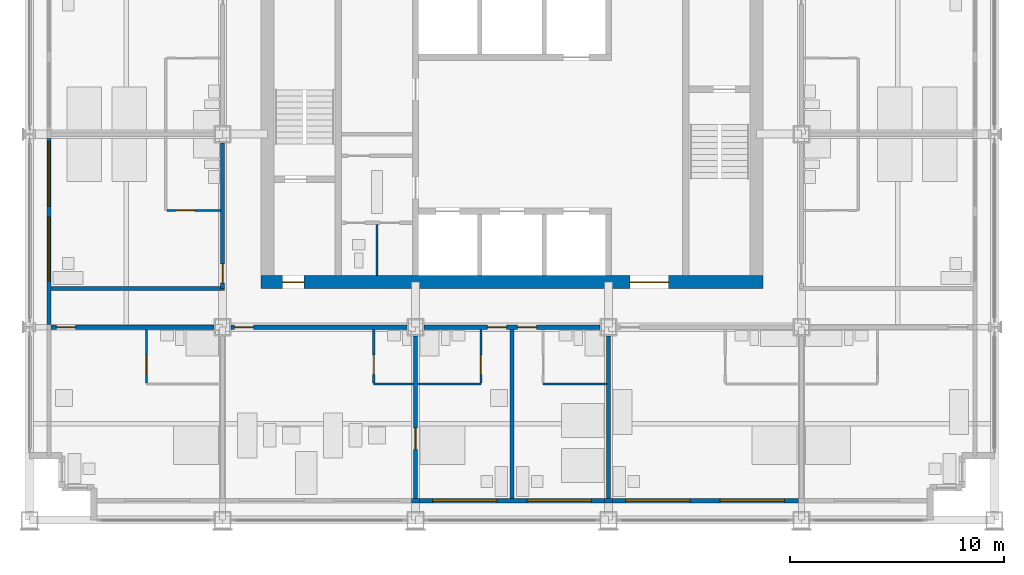
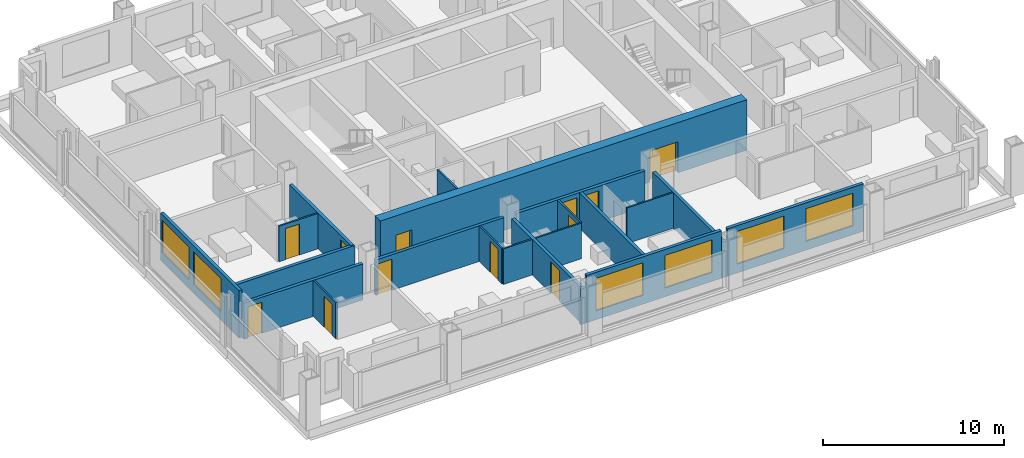
# One storey, part 9 of 16: 22 walls, 12 doors, 6 windows, 18 openings.
"""IFC4 building model written with IfcOpenShell, lengths in metres."""

from ifc_helpers import new_model, si_unit, direction, frame, frame_2d, origin, place, context, subcontext, project, spatial, rectangle, extrude, material, layer, layer_set, type_object, element, fill, save


model = new_model("IFC4")

# Units and contexts
model_context = context("Model", 3, precision=1e-05, world=origin(), true_north=direction((0.0, 1.0)))
body_context = subcontext(model_context, "Body", "Model", "MODEL_VIEW")
ifc_project = project(units=[si_unit("LENGTHUNIT", "METRE"), si_unit("AREAUNIT", "SQUARE_METRE"), si_unit("VOLUMEUNIT", "CUBIC_METRE"), si_unit("PLANEANGLEUNIT", "RADIAN"), si_unit("MASSUNIT", "GRAM", prefix="KILO")], contexts=[model_context])

# Site, building, storey
site_placement = place(None, origin())
site = spatial("IfcSite", under=ifc_project, at=site_placement, CompositionType="ELEMENT")
building_placement = place(site_placement, origin())
building = spatial("IfcBuilding", under=site, at=building_placement, Name="Loomwork Tower", CompositionType="ELEMENT")
storey_placement = place(building_placement, frame((0.0, 0.0, 135.0)))
storey = spatial("IfcBuildingStorey", under=building, at=storey_placement, Name="L36", CompositionType="ELEMENT", Elevation=135.0)

# Wall, openings, doors
ifc_material_1 = material(Name="Concrete 14000 psi (97 MPa)", Category="concrete")
ifc_layer_1 = layer(ifc_material_1, 0.60009765625)
ifc_layer_set_1 = layer_set([ifc_layer_1], Name="Core shear wall 600")
wall_type_1 = type_object("IfcWallType", Name="Core shear wall 600", PredefinedType="SHEAR", material=ifc_layer_set_1)
wall_1_placement = place(storey_placement, frame((10.800048828125, 11.10009765625, 0.0), z_axis=(0.0, 0.0, 1.0), x_axis=(1.0, 0.0, 0.0)))
wall_1 = element("IfcWall", 1, at=wall_1_placement, inside=storey, type_object=wall_type_1, Name="Core wall south L36", PredefinedType="SHEAR", context=body_context, shape_type="SweptSolid", body=[
    extrude(rectangle(XDim=23.39990234375, YDim=0.60009765625, at=frame_2d((11.699951171875, 0.0))), origin(), (0.0, 0.0, 1.0), 3.39990234375),
])
opening_1_placement = place(wall_1_placement, frame((1.0, 0.0, 0.0)))
opening_1 = element("IfcOpeningElement", 2, at=opening_1_placement, cuts=wall_1, Name="Opening D4", PredefinedType="OPENING", context=body_context, shape_type="SweptSolid", body=[
    extrude(rectangle(XDim=1.0, YDim=2.10009765625, at=frame_2d((0.5, 1.050048828125))), frame((0.0, 0.31005859375, 0.0), z_axis=(0.0, -1.0, 0.0), x_axis=(1.0, 0.0, 0.0)), (0.0, 0.0, 1.0), 0.6201171875),
])
opening_2_placement = place(wall_1_placement, frame((17.199951171875, 0.0, 0.0)))
opening_2 = element("IfcOpeningElement", 3, at=opening_2_placement, cuts=wall_1, Name="Opening D6", PredefinedType="OPENING", context=body_context, shape_type="SweptSolid", body=[
    extrude(rectangle(XDim=1.800048828125, YDim=2.10009765625, at=frame_2d((0.89990234375, 1.050048828125))), frame((0.0, 0.31005859375, 0.0), z_axis=(0.0, -1.0, 0.0), x_axis=(1.0, 0.0, 0.0)), (0.0, 0.0, 1.0), 0.6201171875),
])
ifc_material_2 = material(Name="Hollow metal door and frame")
door_type_1 = type_object("IfcDoorType", Name="Lobby passage double door 1800", OperationType="DOUBLE_DOOR_SINGLE_SWING", PredefinedType="DOOR", material=ifc_material_2)
door_1_placement = place(opening_2_placement, origin())
door_1 = element("IfcDoor", 4, at=door_1_placement, inside=storey, type_object=door_type_1, Name="Lobby passage door south", OperationType="DOUBLE_DOOR_SINGLE_SWING", OverallHeight=2.10009765625, OverallWidth=1.800048828125, PredefinedType="DOOR", context=body_context, shape_type="SweptSolid", body=[
    extrude(rectangle(XDim=1.800048828125, YDim=2.10009765625, at=frame_2d((0.89990234375, 1.050048828125))), frame((0.0, 0.02490234375, 0.0), z_axis=(0.0, -1.0, 0.0), x_axis=(1.0, 0.0, 0.0)), (0.0, 0.0, 1.0), 0.050048828125),
])
fill(opening_2, door_1)
ifc_material_3 = material(Name="Hollow metal door and frame")
door_type_2 = type_object("IfcDoorType", Name="Stair door 1000", OperationType="SINGLE_SWING_RIGHT", PredefinedType="DOOR", material=ifc_material_3)
door_2_placement = place(opening_1_placement, origin())
door_2 = element("IfcDoor", 5, at=door_2_placement, inside=storey, type_object=door_type_2, Name="Stair A vestibule door", OperationType="SINGLE_SWING_LEFT", OverallHeight=2.10009765625, OverallWidth=1.0, PredefinedType="DOOR", context=body_context, shape_type="SweptSolid", body=[
    extrude(rectangle(XDim=1.0, YDim=2.10009765625, at=frame_2d((0.5, 1.050048828125))), frame((0.0, 0.02490234375, 0.0), z_axis=(0.0, -1.0, 0.0), x_axis=(1.0, 0.0, 0.0)), (0.0, 0.0, 1.0), 0.050048828125),
])
fill(opening_1, door_2)

# Wall, opening, door
ifc_material_4 = material(Name="Gypsum board on steel studs, one-hour", Category="steel")
ifc_layer_2 = layer(ifc_material_4, 0.199951171875)
ifc_layer_set_2 = layer_set([ifc_layer_2], Name="Corridor wall 200")
wall_type_2 = type_object("IfcWallType", Name="Corridor wall 200", PredefinedType="PARTITIONING", material=ifc_layer_set_2)
wall_2_placement = place(storey_placement, frame((1.0, 9.0, 0.0), z_axis=(0.0, 0.0, 1.0), x_axis=(1.0, 0.0, 0.0)))
wall_2 = element("IfcWall", 6, at=wall_2_placement, inside=storey, type_object=wall_type_2, Name="South corridor wall 1", PredefinedType="PARTITIONING", context=body_context, shape_type="SweptSolid", body=[
    extrude(rectangle(XDim=7.60009765625, YDim=0.199951171875, at=frame_2d((3.800048828125, 0.0))), origin(), (0.0, 0.0, 1.0), 2.43798828125),
])
opening_3_placement = place(wall_2_placement, frame((0.25, 0.0, 0.0)))
opening_3 = element("IfcOpeningElement", 7, at=opening_3_placement, cuts=wall_2, Name="Opening D1", PredefinedType="OPENING", context=body_context, shape_type="SweptSolid", body=[
    extrude(rectangle(XDim=0.89990234375, YDim=2.10009765625, at=frame_2d((0.449951171875, 1.050048828125))), frame((0.0, 0.10986328125, 0.0), z_axis=(0.0, -1.0, 0.0), x_axis=(1.0, 0.0, 0.0)), (0.0, 0.0, 1.0), 0.219970703125),
])
ifc_material_5 = material(Name="Hollow metal door and frame")
door_type_3 = type_object("IfcDoorType", Name="Guest room entry door 900", OperationType="SINGLE_SWING_LEFT", PredefinedType="DOOR", material=ifc_material_5)
door_3_placement = place(opening_3_placement, frame((0.89990234375, 0.0, 0.0), z_axis=(0.0, 0.0, 1.0), x_axis=(-1.0, 0.0, 0.0)))
door_3 = element("IfcDoor", 8, at=door_3_placement, inside=storey, type_object=door_type_3, Name="Guest room entry door L36 1", OperationType="SINGLE_SWING_RIGHT", OverallHeight=2.10009765625, OverallWidth=0.89990234375, PredefinedType="DOOR", context=body_context, shape_type="SweptSolid", body=[
    extrude(rectangle(XDim=0.89990234375, YDim=2.10009765625, at=frame_2d((0.449951171875, 1.050048828125))), frame((0.0, 0.02490234375, 0.0), z_axis=(0.0, -1.0, 0.0), x_axis=(1.0, 0.0, 0.0)), (0.0, 0.0, 1.0), 0.050048828125),
])
fill(opening_3, door_3)

wall_3_placement = place(storey_placement, frame((9.39990234375, 9.0, 0.0), z_axis=(0.0, 0.0, 1.0), x_axis=(1.0, 0.0, 0.0)))
wall_3 = element("IfcWall", 9, at=wall_3_placement, inside=storey, type_object=wall_type_2, Name="South corridor wall 2", PredefinedType="PARTITIONING", context=body_context, shape_type="SweptSolid", body=[
    extrude(rectangle(XDim=8.2001953125, YDim=0.199951171875, at=frame_2d((4.10009765625, 0.0))), origin(), (0.0, 0.0, 1.0), 2.405029296875),
])
opening_4_placement = place(wall_3_placement, frame((0.14990234375, 0.0, 0.0)))
opening_4 = element("IfcOpeningElement", 10, at=opening_4_placement, cuts=wall_3, Name="Opening D1", PredefinedType="OPENING", context=body_context, shape_type="SweptSolid", body=[
    extrude(rectangle(XDim=0.89990234375, YDim=2.10009765625, at=frame_2d((0.449951171875, 1.050048828125))), frame((0.0, 0.10986328125, 0.0), z_axis=(0.0, -1.0, 0.0), x_axis=(1.0, 0.0, 0.0)), (0.0, 0.0, 1.0), 0.219970703125),
])
door_4_placement = place(opening_4_placement, frame((0.89990234375, 0.0, 0.0), z_axis=(0.0, 0.0, 1.0), x_axis=(-1.0, 0.0, 0.0)))
door_4 = element("IfcDoor", 11, at=door_4_placement, inside=storey, type_object=door_type_3, Name="Guest room entry door L36 2", OperationType="SINGLE_SWING_RIGHT", OverallHeight=2.10009765625, OverallWidth=0.89990234375, PredefinedType="DOOR", context=body_context, shape_type="SweptSolid", body=[
    extrude(rectangle(XDim=0.89990234375, YDim=2.10009765625, at=frame_2d((0.449951171875, 1.050048828125))), frame((0.0, 0.02490234375, 0.0), z_axis=(0.0, -1.0, 0.0), x_axis=(1.0, 0.0, 0.0)), (0.0, 0.0, 1.0), 0.050048828125),
])
fill(opening_4, door_4)

# Wall, openings, doors
wall_4_placement = place(storey_placement, frame((18.39990234375, 9.0, 0.0), z_axis=(0.0, 0.0, 1.0), x_axis=(1.0, 0.0, 0.0)))
wall_4 = element("IfcWall", 12, at=wall_4_placement, inside=storey, type_object=wall_type_2, Name="South corridor wall 3", PredefinedType="PARTITIONING", context=body_context, shape_type="SweptSolid", body=[
    extrude(rectangle(XDim=8.2001953125, YDim=0.199951171875, at=frame_2d((4.10009765625, 0.0))), origin(), (0.0, 0.0, 1.0), 2.405029296875),
])
opening_5_placement = place(wall_4_placement, frame((2.949951171875, 0.0, 0.0)))
opening_5 = element("IfcOpeningElement", 13, at=opening_5_placement, cuts=wall_4, Name="Opening D1", PredefinedType="OPENING", context=body_context, shape_type="SweptSolid", body=[
    extrude(rectangle(XDim=0.89990234375, YDim=2.10009765625, at=frame_2d((0.449951171875, 1.050048828125))), frame((0.0, 0.10986328125, 0.0), z_axis=(0.0, -1.0, 0.0), x_axis=(1.0, 0.0, 0.0)), (0.0, 0.0, 1.0), 0.219970703125),
])
opening_6_placement = place(wall_4_placement, frame((4.35009765625, 0.0, 0.0)))
opening_6 = element("IfcOpeningElement", 14, at=opening_6_placement, cuts=wall_4, Name="Opening D1", PredefinedType="OPENING", context=body_context, shape_type="SweptSolid", body=[
    extrude(rectangle(XDim=0.89990234375, YDim=2.10009765625, at=frame_2d((0.449951171875, 1.050048828125))), frame((0.0, 0.10986328125, 0.0), z_axis=(0.0, -1.0, 0.0), x_axis=(1.0, 0.0, 0.0)), (0.0, 0.0, 1.0), 0.219970703125),
])
door_5_placement = place(opening_5_placement, frame((0.89990234375, 0.0, 0.0), z_axis=(0.0, 0.0, 1.0), x_axis=(-1.0, 0.0, 0.0)))
door_5 = element("IfcDoor", 15, at=door_5_placement, inside=storey, type_object=door_type_3, Name="Guest room entry door L36 3", OperationType="SINGLE_SWING_LEFT", OverallHeight=2.10009765625, OverallWidth=0.89990234375, PredefinedType="DOOR", context=body_context, shape_type="SweptSolid", body=[
    extrude(rectangle(XDim=0.89990234375, YDim=2.10009765625, at=frame_2d((0.449951171875, 1.050048828125))), frame((0.0, 0.02490234375, 0.0), z_axis=(0.0, -1.0, 0.0), x_axis=(1.0, 0.0, 0.0)), (0.0, 0.0, 1.0), 0.050048828125),
])
fill(opening_5, door_5)
door_6_placement = place(opening_6_placement, frame((0.89990234375, 0.0, 0.0), z_axis=(0.0, 0.0, 1.0), x_axis=(-1.0, 0.0, 0.0)))
door_6 = element("IfcDoor", 16, at=door_6_placement, inside=storey, type_object=door_type_3, Name="Guest room entry door L36 4", OperationType="SINGLE_SWING_RIGHT", OverallHeight=2.10009765625, OverallWidth=0.89990234375, PredefinedType="DOOR", context=body_context, shape_type="SweptSolid", body=[
    extrude(rectangle(XDim=0.89990234375, YDim=2.10009765625, at=frame_2d((0.449951171875, 1.050048828125))), frame((0.0, 0.02490234375, 0.0), z_axis=(0.0, -1.0, 0.0), x_axis=(1.0, 0.0, 0.0)), (0.0, 0.0, 1.0), 0.050048828125),
])
fill(opening_6, door_6)

# Wall, opening, door
wall_5_placement = place(storey_placement, frame((9.0, 10.800048828125, 0.0), z_axis=(0.0, 0.0, 1.0), x_axis=(0.0, 1.0, 0.0)))
wall_5 = element("IfcWall", 17, at=wall_5_placement, inside=storey, type_object=wall_type_2, Name="West corridor wall 1", PredefinedType="PARTITIONING", context=body_context, shape_type="SweptSolid", body=[
    extrude(rectangle(XDim=6.800048828125, YDim=0.199951171875, at=frame_2d((3.39990234375, 0.0))), origin(), (0.0, 0.0, 1.0), 2.405029296875),
])
opening_7_placement = place(wall_5_placement, frame((0.25, 0.0, 0.0)))
opening_7 = element("IfcOpeningElement", 18, at=opening_7_placement, cuts=wall_5, Name="Opening D1", PredefinedType="OPENING", context=body_context, shape_type="SweptSolid", body=[
    extrude(rectangle(XDim=0.89990234375, YDim=2.10009765625, at=frame_2d((0.449951171875, 1.050048828125))), frame((0.0, 0.10986328125, 0.0), z_axis=(0.0, -1.0, 0.0), x_axis=(1.0, 0.0, 0.0)), (0.0, 0.0, 1.0), 0.219970703125),
])
door_7_placement = place(opening_7_placement, origin())
door_7 = element("IfcDoor", 19, at=door_7_placement, inside=storey, type_object=door_type_3, Name="Guest room entry door L36 14", OperationType="SINGLE_SWING_LEFT", OverallHeight=2.10009765625, OverallWidth=0.89990234375, PredefinedType="DOOR", context=body_context, shape_type="SweptSolid", body=[
    extrude(rectangle(XDim=0.89990234375, YDim=2.10009765625, at=frame_2d((0.449951171875, 1.050048828125))), frame((0.0, 0.02490234375, 0.0), z_axis=(0.0, -1.0, 0.0), x_axis=(1.0, 0.0, 0.0)), (0.0, 0.0, 1.0), 0.050048828125),
])
fill(opening_7, door_7)

# Wall
wall_6_placement = place(storey_placement, frame((1.0, 10.800048828125, 0.0), z_axis=(0.0, 0.0, 1.0), x_axis=(1.0, 0.0, 0.0)))
element("IfcWall", 20, at=wall_6_placement, inside=storey, type_object=wall_type_2, Name="West band end wall S", PredefinedType="PARTITIONING", context=body_context, shape_type="SweptSolid", body=[
    extrude(rectangle(XDim=8.10009765625, YDim=0.199951171875, at=frame_2d((4.050048828125, 0.0))), origin(), (0.0, 0.0, 1.0), 2.404052734375),
])

# Wall, opening, door
ifc_material_6 = material(Name="Cement board on steel studs", Category="steel")
ifc_layer_3 = layer(ifc_material_6, 0.10009765625)
ifc_layer_set_3 = layer_set([ifc_layer_3], Name="En-suite partition 100")
wall_type_3 = type_object("IfcWallType", Name="En-suite partition 100", PredefinedType="PARTITIONING", material=ifc_layer_set_3)
wall_7_placement = place(storey_placement, frame((5.449951171875, 8.89990234375, 0.0), z_axis=(0.0, 0.0, 1.0), x_axis=(0.0, -1.0, 0.0)))
wall_7 = element("IfcWall", 21, at=wall_7_placement, inside=storey, type_object=wall_type_3, Name="En-suite side wall L36 room 1", PredefinedType="PARTITIONING", context=body_context, shape_type="SweptSolid", body=[
    extrude(rectangle(XDim=2.5, YDim=0.10009765625, at=frame_2d((1.25, 0.0))), origin(), (0.0, 0.0, 1.0), 2.43798828125),
])
opening_8_placement = place(wall_7_placement, frame((1.199951171875, 0.0, 0.0)))
opening_8 = element("IfcOpeningElement", 22, at=opening_8_placement, cuts=wall_7, Name="Opening D3", PredefinedType="OPENING", context=body_context, shape_type="SweptSolid", body=[
    extrude(rectangle(XDim=0.89990234375, YDim=2.10009765625, at=frame_2d((0.449951171875, 1.050048828125))), frame((0.0, 0.06005859375, 0.0), z_axis=(0.0, -1.0, 0.0), x_axis=(1.0, 0.0, 0.0)), (0.0, 0.0, 1.0), 0.1201171875),
])
ifc_material_7 = material(Name="Hollow metal door and frame")
door_type_4 = type_object("IfcDoorType", Name="Accessible en-suite door 900", OperationType="SLIDING_TO_LEFT", PredefinedType="DOOR", material=ifc_material_7)
door_8_placement = place(opening_8_placement, origin())
door_8 = element("IfcDoor", 23, at=door_8_placement, inside=storey, type_object=door_type_4, Name="Accessible en-suite door room 1", OperationType="SLIDING_TO_LEFT", OverallHeight=2.10009765625, OverallWidth=0.89990234375, PredefinedType="DOOR", context=body_context, shape_type="SweptSolid", body=[
    extrude(rectangle(XDim=0.89990234375, YDim=2.10009765625, at=frame_2d((0.449951171875, 1.050048828125))), frame((0.0, 0.02490234375, 0.0), z_axis=(0.0, -1.0, 0.0), x_axis=(1.0, 0.0, 0.0)), (0.0, 0.0, 1.0), 0.050048828125),
])
fill(opening_8, door_8)

# Wall
wall_8_placement = place(storey_placement, frame((16.050048828125, 6.35009765625, 0.0), z_axis=(0.0, 0.0, 1.0), x_axis=(1.0, 0.0, 0.0)))
element("IfcWall", 24, at=wall_8_placement, inside=storey, type_object=wall_type_3, Name="En-suite wall L36 room 2", PredefinedType="PARTITIONING", context=body_context, shape_type="SweptSolid", body=[
    extrude(rectangle(XDim=1.849853515625, YDim=0.10009765625, at=frame_2d((0.9248046875, 0.0))), origin(), (0.0, 0.0, 1.0), 2.404052734375),
])

# Wall, opening, door
wall_9_placement = place(storey_placement, frame((16.050048828125, 8.89990234375, 0.0), z_axis=(0.0, 0.0, 1.0), x_axis=(0.0, -1.0, 0.0)))
wall_9 = element("IfcWall", 25, at=wall_9_placement, inside=storey, type_object=wall_type_3, Name="En-suite side wall L36 room 2", PredefinedType="PARTITIONING", context=body_context, shape_type="SweptSolid", body=[
    extrude(rectangle(XDim=2.5, YDim=0.10009765625, at=frame_2d((1.25, 0.0))), origin(), (0.0, 0.0, 1.0), 2.404052734375),
])
opening_9_placement = place(wall_9_placement, frame((1.199951171875, 0.0, 0.0)))
opening_9 = element("IfcOpeningElement", 26, at=opening_9_placement, cuts=wall_9, Name="Opening D2", PredefinedType="OPENING", context=body_context, shape_type="SweptSolid", body=[
    extrude(rectangle(XDim=0.89990234375, YDim=2.10009765625, at=frame_2d((0.449951171875, 1.050048828125))), frame((0.0, 0.06005859375, 0.0), z_axis=(0.0, -1.0, 0.0), x_axis=(1.0, 0.0, 0.0)), (0.0, 0.0, 1.0), 0.1201171875),
])
ifc_material_8 = material(Name="Hollow metal door and frame")
door_type_5 = type_object("IfcDoorType", Name="En-suite door 900", OperationType="SINGLE_SWING_LEFT", PredefinedType="DOOR", material=ifc_material_8)
door_9_placement = place(opening_9_placement, origin())
door_9 = element("IfcDoor", 27, at=door_9_placement, inside=storey, type_object=door_type_5, Name="Suite powder room door room 2", OperationType="SINGLE_SWING_RIGHT", OverallHeight=2.10009765625, OverallWidth=0.89990234375, PredefinedType="DOOR", context=body_context, shape_type="SweptSolid", body=[
    extrude(rectangle(XDim=0.89990234375, YDim=2.10009765625, at=frame_2d((0.449951171875, 1.050048828125))), frame((0.0, 0.02490234375, 0.0), z_axis=(0.0, -1.0, 0.0), x_axis=(1.0, 0.0, 0.0)), (0.0, 0.0, 1.0), 0.050048828125),
])
fill(opening_9, door_9)

# Wall
wall_10_placement = place(storey_placement, frame((18.10009765625, 6.35009765625, 0.0), z_axis=(0.0, 0.0, 1.0), x_axis=(1.0, 0.0, 0.0)))
element("IfcWall", 28, at=wall_10_placement, inside=storey, type_object=wall_type_3, Name="En-suite wall L36 room 3", PredefinedType="PARTITIONING", context=body_context, shape_type="SweptSolid", body=[
    extrude(rectangle(XDim=2.949951171875, YDim=0.10009765625, at=frame_2d((1.47509765625, 0.0))), origin(), (0.0, 0.0, 1.0), 2.404052734375),
])

# Wall, opening, door
wall_11_placement = place(storey_placement, frame((21.050048828125, 8.89990234375, 0.0), z_axis=(0.0, 0.0, 1.0), x_axis=(0.0, -1.0, 0.0)))
wall_11 = element("IfcWall", 29, at=wall_11_placement, inside=storey, type_object=wall_type_3, Name="En-suite side wall L36 room 3", PredefinedType="PARTITIONING", context=body_context, shape_type="SweptSolid", body=[
    extrude(rectangle(XDim=2.5, YDim=0.10009765625, at=frame_2d((1.25, 0.0))), origin(), (0.0, 0.0, 1.0), 2.404052734375),
])
opening_10_placement = place(wall_11_placement, frame((1.199951171875, 0.0, 0.0)))
opening_10 = element("IfcOpeningElement", 30, at=opening_10_placement, cuts=wall_11, Name="Opening D2", PredefinedType="OPENING", context=body_context, shape_type="SweptSolid", body=[
    extrude(rectangle(XDim=0.89990234375, YDim=2.10009765625, at=frame_2d((0.449951171875, 1.050048828125))), frame((0.0, 0.06005859375, 0.0), z_axis=(0.0, -1.0, 0.0), x_axis=(1.0, 0.0, 0.0)), (0.0, 0.0, 1.0), 0.1201171875),
])
door_10_placement = place(opening_10_placement, frame((0.89990234375, 0.0, 0.0), z_axis=(0.0, 0.0, 1.0), x_axis=(-1.0, 0.0, 0.0)))
door_10 = element("IfcDoor", 31, at=door_10_placement, inside=storey, type_object=door_type_5, Name="En-suite door room 3", OperationType="SINGLE_SWING_LEFT", OverallHeight=2.10009765625, OverallWidth=0.89990234375, PredefinedType="DOOR", context=body_context, shape_type="SweptSolid", body=[
    extrude(rectangle(XDim=0.89990234375, YDim=2.10009765625, at=frame_2d((0.449951171875, 1.050048828125))), frame((0.0, 0.02490234375, 0.0), z_axis=(0.0, -1.0, 0.0), x_axis=(1.0, 0.0, 0.0)), (0.0, 0.0, 1.0), 0.050048828125),
])
fill(opening_10, door_10)

# Wall
wall_12_placement = place(storey_placement, frame((23.949951171875, 6.35009765625, 0.0), z_axis=(0.0, 0.0, 1.0), x_axis=(1.0, 0.0, 0.0)))
element("IfcWall", 32, at=wall_12_placement, inside=storey, type_object=wall_type_3, Name="En-suite wall L36 room 4", PredefinedType="PARTITIONING", context=body_context, shape_type="SweptSolid", body=[
    extrude(rectangle(XDim=2.949951171875, YDim=0.10009765625, at=frame_2d((1.47509765625, 0.0))), origin(), (0.0, 0.0, 1.0), 2.404052734375),
])

# Wall, opening, door
wall_13_placement = place(storey_placement, frame((8.89990234375, 14.449951171875, 0.0), z_axis=(0.0, 0.0, 1.0), x_axis=(-1.0, 0.0, 0.0)))
wall_13 = element("IfcWall", 33, at=wall_13_placement, inside=storey, type_object=wall_type_3, Name="En-suite side wall L36 room 14", PredefinedType="PARTITIONING", context=body_context, shape_type="SweptSolid", body=[
    extrude(rectangle(XDim=2.5, YDim=0.10009765625, at=frame_2d((1.25, 0.0))), origin(), (0.0, 0.0, 1.0), 2.404052734375),
])
opening_11_placement = place(wall_13_placement, frame((1.199951171875, 0.0, 0.0)))
opening_11 = element("IfcOpeningElement", 34, at=opening_11_placement, cuts=wall_13, Name="Opening D2", PredefinedType="OPENING", context=body_context, shape_type="SweptSolid", body=[
    extrude(rectangle(XDim=0.89990234375, YDim=2.10009765625, at=frame_2d((0.449951171875, 1.050048828125))), frame((0.0, 0.06005859375, 0.0), z_axis=(0.0, -1.0, 0.0), x_axis=(1.0, 0.0, 0.0)), (0.0, 0.0, 1.0), 0.1201171875),
])
door_11_placement = place(opening_11_placement, frame((0.89990234375, 0.0, 0.0), z_axis=(0.0, 0.0, 1.0), x_axis=(-1.0, 0.0, 0.0)))
door_11 = element("IfcDoor", 35, at=door_11_placement, inside=storey, type_object=door_type_5, Name="En-suite door room 14", OperationType="SINGLE_SWING_LEFT", OverallHeight=2.10009765625, OverallWidth=0.89990234375, PredefinedType="DOOR", context=body_context, shape_type="SweptSolid", body=[
    extrude(rectangle(XDim=0.89990234375, YDim=2.10009765625, at=frame_2d((0.449951171875, 1.050048828125))), frame((0.0, 0.02490234375, 0.0), z_axis=(0.0, -1.0, 0.0), x_axis=(1.0, 0.0, 0.0)), (0.0, 0.0, 1.0), 0.050048828125),
])
fill(opening_11, door_11)

# Wall
wall_14_placement = place(storey_placement, frame((16.199951171875, 11.39990234375, 0.0), z_axis=(0.0, 0.0, 1.0), x_axis=(0.0, 1.0, 0.0)))
element("IfcWall", 36, at=wall_14_placement, inside=storey, type_object=wall_type_3, Name="Back-of-house partition L36 2", PredefinedType="PARTITIONING", context=body_context, shape_type="SweptSolid", body=[
    extrude(rectangle(XDim=2.400146484375, YDim=0.10009765625, at=frame_2d((1.2001953125, 0.0))), origin(), (0.0, 0.0, 1.0), 3.199951171875),
])

# Wall, opening, door
ifc_material_9 = material(Name="Gypsum board on steel studs, acoustic", Category="steel")
ifc_layer_4 = layer(ifc_material_9, 0.199951171875)
ifc_layer_set_4 = layer_set([ifc_layer_4], Name="Guest room party wall 200")
wall_type_4 = type_object("IfcWallType", Name="Guest room party wall 200", PredefinedType="PARTITIONING", material=ifc_layer_set_4)
wall_15_placement = place(storey_placement, frame((18.0, 8.60009765625, 0.0), z_axis=(0.0, 0.0, 1.0), x_axis=(0.0, -1.0, 0.0)))
wall_15 = element("IfcWall", 37, at=wall_15_placement, inside=storey, type_object=wall_type_4, Name="Guest room party wall S 18", PredefinedType="PARTITIONING", context=body_context, shape_type="SweptSolid", body=[
    extrude(rectangle(XDim=7.60009765625, YDim=0.199951171875, at=frame_2d((3.800048828125, 0.0))), origin(), (0.0, 0.0, 1.0), 2.405029296875),
])
opening_12_placement = place(wall_15_placement, frame((4.300048828125, 0.0, 0.0)))
opening_12 = element("IfcOpeningElement", 38, at=opening_12_placement, cuts=wall_15, Name="Opening D7", PredefinedType="OPENING", context=body_context, shape_type="SweptSolid", body=[
    extrude(rectangle(XDim=1.0, YDim=2.10009765625, at=frame_2d((0.5, 1.050048828125))), frame((0.0, 0.10986328125, 0.0), z_axis=(0.0, -1.0, 0.0), x_axis=(1.0, 0.0, 0.0)), (0.0, 0.0, 1.0), 0.219970703125),
])
ifc_material_10 = material(Name="Hollow metal door and frame")
door_type_6 = type_object("IfcDoorType", Name="Room door 1000", OperationType="SINGLE_SWING_LEFT", PredefinedType="DOOR", material=ifc_material_10)
door_12_placement = place(opening_12_placement, origin())
door_12 = element("IfcDoor", 39, at=door_12_placement, inside=storey, type_object=door_type_6, Name="Suite connecting door L36 S 18", OperationType="SINGLE_SWING_LEFT", OverallHeight=2.10009765625, OverallWidth=1.0, PredefinedType="DOOR", context=body_context, shape_type="SweptSolid", body=[
    extrude(rectangle(XDim=1.0, YDim=2.10009765625, at=frame_2d((0.5, 1.050048828125))), frame((0.0, 0.02490234375, 0.0), z_axis=(0.0, -1.0, 0.0), x_axis=(1.0, 0.0, 0.0)), (0.0, 0.0, 1.0), 0.050048828125),
])
fill(opening_12, door_12)

# Walls
wall_16_placement = place(storey_placement, frame((22.5, 8.89990234375, 0.0), z_axis=(0.0, 0.0, 1.0), x_axis=(0.0, -1.0, 0.0)))
element("IfcWall", 40, at=wall_16_placement, inside=storey, type_object=wall_type_4, Name="Guest room party wall S 22.5", PredefinedType="PARTITIONING", context=body_context, shape_type="SweptSolid", body=[
    extrude(rectangle(XDim=7.89990234375, YDim=0.199951171875, at=frame_2d((3.949951171875, 0.0))), origin(), (0.0, 0.0, 1.0), 2.404052734375),
])
wall_17_placement = place(storey_placement, frame((27.0, 8.60009765625, 0.0), z_axis=(0.0, 0.0, 1.0), x_axis=(0.0, -1.0, 0.0)))
element("IfcWall", 41, at=wall_17_placement, inside=storey, type_object=wall_type_4, Name="Guest room party wall S 27", PredefinedType="PARTITIONING", context=body_context, shape_type="SweptSolid", body=[
    extrude(rectangle(XDim=7.60009765625, YDim=0.199951171875, at=frame_2d((3.800048828125, 0.0))), origin(), (0.0, 0.0, 1.0), 2.405029296875),
])
ifc_material_11 = material(Name="Insulated steel stud wall with gypsum lining", Category="steel")
ifc_layer_5 = layer(ifc_material_11, 0.199951171875)
ifc_layer_set_5 = layer_set([ifc_layer_5], Name="Inner skin wall 200")
wall_type_5 = type_object("IfcWallType", Name="Inner skin wall 200", PredefinedType="SOLIDWALL", material=ifc_layer_set_5)
wall_18_placement = place(storey_placement, frame((17.80615234375, 0.89990234375, 0.0), z_axis=(0.0, 0.0, 1.0), x_axis=(1.0, 0.0, 0.0)))
element("IfcWall", 42, at=wall_18_placement, inside=storey, type_object=wall_type_5, Name="Inner skin wall S bay 4", PredefinedType="SOLIDWALL", context=body_context, shape_type="SweptSolid", body=[
    extrude(rectangle(XDim=0.3876953125, YDim=0.199951171875, at=frame_2d((0.19384765625, 0.0))), origin(), (0.0, 0.0, 1.0), 2.404052734375),
])

# Wall, openings, windows
wall_19_placement = place(storey_placement, frame((18.19384765625, 0.89990234375, 0.0), z_axis=(0.0, 0.0, 1.0), x_axis=(1.0, 0.0, 0.0)))
wall_19 = element("IfcWall", 43, at=wall_19_placement, inside=storey, type_object=wall_type_5, Name="Inner skin wall S bay 5", PredefinedType="SOLIDWALL", context=body_context, shape_type="SweptSolid", body=[
    extrude(rectangle(XDim=8.6123046875, YDim=0.199951171875, at=frame_2d((4.30615234375, 0.0))), origin(), (0.0, 0.0, 1.0), 3.199951171875),
])
opening_13_placement = place(wall_19_placement, frame((0.606201171875, 0.0, 0.60009765625)))
opening_13 = element("IfcOpeningElement", 44, at=opening_13_placement, cuts=wall_19, Name="Opening CH1", PredefinedType="OPENING", context=body_context, shape_type="SweptSolid", body=[
    extrude(rectangle(XDim=3.0, YDim=2.199951171875, at=frame_2d((1.5, 1.10009765625))), frame((0.0, 0.10986328125, 0.0), z_axis=(0.0, -1.0, 0.0), x_axis=(1.0, 0.0, 0.0)), (0.0, 0.0, 1.0), 0.219970703125),
])
opening_14_placement = place(wall_19_placement, frame((5.006103515625, 0.0, 0.60009765625)))
opening_14 = element("IfcOpeningElement", 45, at=opening_14_placement, cuts=wall_19, Name="Opening CH1", PredefinedType="OPENING", context=body_context, shape_type="SweptSolid", body=[
    extrude(rectangle(XDim=3.0, YDim=2.199951171875, at=frame_2d((1.5, 1.10009765625))), frame((0.0, 0.10986328125, 0.0), z_axis=(0.0, -1.0, 0.0), x_axis=(1.0, 0.0, 0.0)), (0.0, 0.0, 1.0), 0.219970703125),
])
ifc_material_12 = material(Name="Aluminium frame with clear insulated glass", Category="aluminium")
window_type = type_object("IfcWindowType", Name="Chicago window 3000", PartitioningType="TRIPLE_PANEL_VERTICAL", PredefinedType="WINDOW", material=ifc_material_12)
window_1_placement = place(opening_13_placement, origin())
window_1 = element("IfcWindow", 46, at=window_1_placement, inside=storey, type_object=window_type, Name="Chicago window L36 bay 3", OverallHeight=2.199951171875, OverallWidth=3.0, PartitioningType="TRIPLE_PANEL_VERTICAL", PredefinedType="WINDOW", context=body_context, shape_type="SweptSolid", body=[
    extrude(rectangle(XDim=3.0, YDim=2.199951171875, at=frame_2d((1.5, 1.10009765625))), frame((0.0, 0.030029296875, 0.0), z_axis=(0.0, -1.0, 0.0), x_axis=(1.0, 0.0, 0.0)), (0.0, 0.0, 1.0), 0.06005859375),
])
fill(opening_13, window_1)
window_2_placement = place(opening_14_placement, origin())
window_2 = element("IfcWindow", 47, at=window_2_placement, inside=storey, type_object=window_type, Name="Chicago window L36 bay 3", OverallHeight=2.199951171875, OverallWidth=3.0, PartitioningType="TRIPLE_PANEL_VERTICAL", PredefinedType="WINDOW", context=body_context, shape_type="SweptSolid", body=[
    extrude(rectangle(XDim=3.0, YDim=2.199951171875, at=frame_2d((1.5, 1.10009765625))), frame((0.0, 0.030029296875, 0.0), z_axis=(0.0, -1.0, 0.0), x_axis=(1.0, 0.0, 0.0)), (0.0, 0.0, 1.0), 0.06005859375),
])
fill(opening_14, window_2)

# Wall
wall_20_placement = place(storey_placement, frame((26.80615234375, 0.89990234375, 0.0), z_axis=(0.0, 0.0, 1.0), x_axis=(1.0, 0.0, 0.0)))
element("IfcWall", 48, at=wall_20_placement, inside=storey, type_object=wall_type_5, Name="Inner skin wall S bay 6", PredefinedType="SOLIDWALL", context=body_context, shape_type="SweptSolid", body=[
    extrude(rectangle(XDim=0.3876953125, YDim=0.199951171875, at=frame_2d((0.19384765625, 0.0))), origin(), (0.0, 0.0, 1.0), 2.404052734375),
])

# Wall, openings, windows
wall_21_placement = place(storey_placement, frame((27.19384765625, 0.89990234375, 0.0), z_axis=(0.0, 0.0, 1.0), x_axis=(1.0, 0.0, 0.0)))
wall_21 = element("IfcWall", 49, at=wall_21_placement, inside=storey, type_object=wall_type_5, Name="Inner skin wall S bay 7", PredefinedType="SOLIDWALL", context=body_context, shape_type="SweptSolid", body=[
    extrude(rectangle(XDim=8.670654296875, YDim=0.199951171875, at=frame_2d((4.33544921875, 0.0))), origin(), (0.0, 0.0, 1.0), 3.199951171875),
])
opening_15_placement = place(wall_21_placement, frame((0.606201171875, 0.0, 0.60009765625)))
opening_15 = element("IfcOpeningElement", 50, at=opening_15_placement, cuts=wall_21, Name="Opening CH1", PredefinedType="OPENING", context=body_context, shape_type="SweptSolid", body=[
    extrude(rectangle(XDim=3.0, YDim=2.199951171875, at=frame_2d((1.5, 1.10009765625))), frame((0.0, 0.10986328125, 0.0), z_axis=(0.0, -1.0, 0.0), x_axis=(1.0, 0.0, 0.0)), (0.0, 0.0, 1.0), 0.219970703125),
])
opening_16_placement = place(wall_21_placement, frame((5.006103515625, 0.0, 0.60009765625)))
opening_16 = element("IfcOpeningElement", 51, at=opening_16_placement, cuts=wall_21, Name="Opening CH1", PredefinedType="OPENING", context=body_context, shape_type="SweptSolid", body=[
    extrude(rectangle(XDim=3.0, YDim=2.199951171875, at=frame_2d((1.5, 1.10009765625))), frame((0.0, 0.10986328125, 0.0), z_axis=(0.0, -1.0, 0.0), x_axis=(1.0, 0.0, 0.0)), (0.0, 0.0, 1.0), 0.219970703125),
])
window_3_placement = place(opening_15_placement, origin())
window_3 = element("IfcWindow", 52, at=window_3_placement, inside=storey, type_object=window_type, Name="Chicago window L36 bay 4", OverallHeight=2.199951171875, OverallWidth=3.0, PartitioningType="TRIPLE_PANEL_VERTICAL", PredefinedType="WINDOW", context=body_context, shape_type="SweptSolid", body=[
    extrude(rectangle(XDim=3.0, YDim=2.199951171875, at=frame_2d((1.5, 1.10009765625))), frame((0.0, 0.030029296875, 0.0), z_axis=(0.0, -1.0, 0.0), x_axis=(1.0, 0.0, 0.0)), (0.0, 0.0, 1.0), 0.06005859375),
])
fill(opening_15, window_3)
window_4_placement = place(opening_16_placement, origin())
window_4 = element("IfcWindow", 53, at=window_4_placement, inside=storey, type_object=window_type, Name="Chicago window L36 bay 4", OverallHeight=2.199951171875, OverallWidth=3.0, PartitioningType="TRIPLE_PANEL_VERTICAL", PredefinedType="WINDOW", context=body_context, shape_type="SweptSolid", body=[
    extrude(rectangle(XDim=3.0, YDim=2.199951171875, at=frame_2d((1.5, 1.10009765625))), frame((0.0, 0.030029296875, 0.0), z_axis=(0.0, -1.0, 0.0), x_axis=(1.0, 0.0, 0.0)), (0.0, 0.0, 1.0), 0.06005859375),
])
fill(opening_16, window_4)

wall_22_placement = place(storey_placement, frame((0.89990234375, 9.13525390625, 0.0), z_axis=(0.0, 0.0, 1.0), x_axis=(0.0, 1.0, 0.0)))
wall_22 = element("IfcWall", 54, at=wall_22_placement, inside=storey, type_object=wall_type_5, Name="Inner skin wall W bay 5", PredefinedType="SOLIDWALL", context=body_context, shape_type="SweptSolid", body=[
    extrude(rectangle(XDim=8.6708984375, YDim=0.199951171875, at=frame_2d((4.33544921875, 0.0))), origin(), (0.0, 0.0, 1.0), 3.199951171875),
])
opening_17_placement = place(wall_22_placement, frame((2.0146484375, 0.0, 0.60009765625)))
opening_17 = element("IfcOpeningElement", 55, at=opening_17_placement, cuts=wall_22, Name="Opening CH1", PredefinedType="OPENING", context=body_context, shape_type="SweptSolid", body=[
    extrude(rectangle(XDim=3.0, YDim=2.199951171875, at=frame_2d((1.5, 1.10009765625))), frame((0.0, 0.10986328125, 0.0), z_axis=(0.0, -1.0, 0.0), x_axis=(1.0, 0.0, 0.0)), (0.0, 0.0, 1.0), 0.219970703125),
])
opening_18_placement = place(wall_22_placement, frame((5.5146484375, 0.0, 0.60009765625)))
opening_18 = element("IfcOpeningElement", 56, at=opening_18_placement, cuts=wall_22, Name="Opening CH1", PredefinedType="OPENING", context=body_context, shape_type="SweptSolid", body=[
    extrude(rectangle(XDim=3.0, YDim=2.199951171875, at=frame_2d((1.5, 1.10009765625))), frame((0.0, 0.10986328125, 0.0), z_axis=(0.0, -1.0, 0.0), x_axis=(1.0, 0.0, 0.0)), (0.0, 0.0, 1.0), 0.219970703125),
])
window_5_placement = place(opening_17_placement, origin())
window_5 = element("IfcWindow", 57, at=window_5_placement, inside=storey, type_object=window_type, Name="Chicago window L36 bay 11", OverallHeight=2.199951171875, OverallWidth=3.0, PartitioningType="TRIPLE_PANEL_VERTICAL", PredefinedType="WINDOW", context=body_context, shape_type="SweptSolid", body=[
    extrude(rectangle(XDim=3.0, YDim=2.199951171875, at=frame_2d((1.5, 1.10009765625))), frame((0.0, 0.030029296875, 0.0), z_axis=(0.0, -1.0, 0.0), x_axis=(1.0, 0.0, 0.0)), (0.0, 0.0, 1.0), 0.06005859375),
])
fill(opening_17, window_5)
window_6_placement = place(opening_18_placement, origin())
window_6 = element("IfcWindow", 58, at=window_6_placement, inside=storey, type_object=window_type, Name="Chicago window L36 bay 11", OverallHeight=2.199951171875, OverallWidth=3.0, PartitioningType="TRIPLE_PANEL_VERTICAL", PredefinedType="WINDOW", context=body_context, shape_type="SweptSolid", body=[
    extrude(rectangle(XDim=3.0, YDim=2.199951171875, at=frame_2d((1.5, 1.10009765625))), frame((0.0, 0.030029296875, 0.0), z_axis=(0.0, -1.0, 0.0), x_axis=(1.0, 0.0, 0.0)), (0.0, 0.0, 1.0), 0.06005859375),
])
fill(opening_18, window_6)

save(model, "model.ifc")
